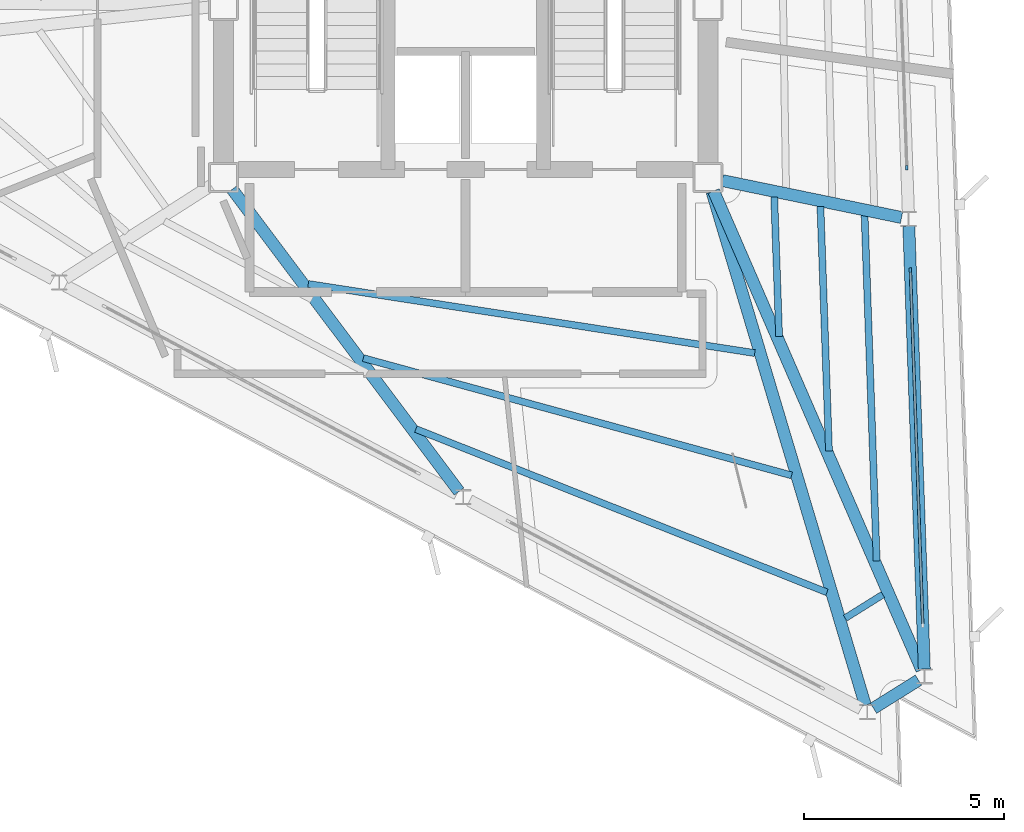
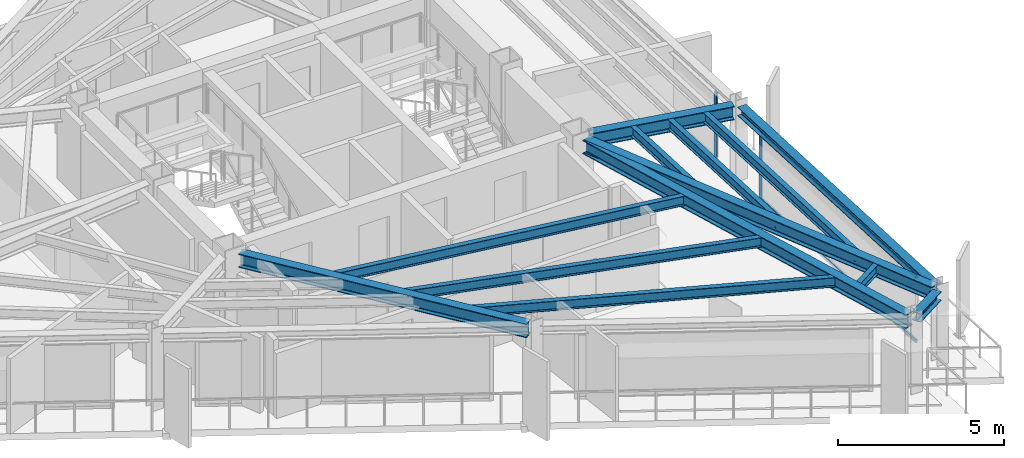
# One storey, part 3 of 12: 13 beams, 4 members, 2 elements without a shape of their own.
"""IFC4 building model written with IfcOpenShell, lengths in metres."""

from ifc_helpers import new_model, si_unit, direction, frame, origin, origin_2d, place, context, subcontext, project, spatial, rectangle, i_section, extrude, material, layer, layer_set, material_profile, profile_set, type_object, element, aggregate, save


model = new_model("IFC4")

# Units and contexts
model_context = context("Model", 3, precision=1e-05, world=origin(), true_north=direction((0.0, 1.0)))
body_context = subcontext(model_context, "Body", "Model", "MODEL_VIEW")
ifc_project = project(units=[si_unit("LENGTHUNIT", "METRE"), si_unit("AREAUNIT", "SQUARE_METRE"), si_unit("VOLUMEUNIT", "CUBIC_METRE"), si_unit("PLANEANGLEUNIT", "RADIAN"), si_unit("MASSUNIT", "GRAM", prefix="KILO")], contexts=[model_context])

# Site, building, storey
site_placement = place(None, origin())
site = spatial("IfcSite", under=ifc_project, at=site_placement, CompositionType="ELEMENT")
building_placement = place(site_placement, origin())
building = spatial("IfcBuilding", under=site, at=building_placement, Name="Rocaltana Carrier Exchange", CompositionType="ELEMENT")
storey_placement = place(building_placement, frame((0.0, 0.0, 205.760009765625)))
storey = spatial("IfcBuildingStorey", under=building, at=storey_placement, Name="L65", CompositionType="ELEMENT", Elevation=205.760009765625)

# Curtain wall, member
ifc_material_1 = material(Name="Aluminium 6063-T6", Category="aluminium")
ifc_layer = layer(ifc_material_1, 0.1201171875)
ifc_layer_set = layer_set([ifc_layer], Name="Aluminium 6063-T6")
curtain_wall_type = type_object("IfcCurtainWallType", Name="High-Altitude Thermal Curtain Wall CW-05", PredefinedType="NOTDEFINED", material=ifc_layer_set)
curtain_wall_1_placement = place(storey_placement, origin())
curtain_wall_1 = element("IfcCurtainWall", 1, at=curtain_wall_1_placement, inside=storey, type_object=curtain_wall_type, Name="L65 CW-05 Run CW-L65-F1S1", PredefinedType="NOTDEFINED")
ifc_material_2 = material(Name="Aluminium 6063-T6", Category="aluminium")
ifc_material_profile_1 = material_profile(ifc_material_2, rectangle(XDim=0.06005859375, YDim=0.1201171875, at=origin_2d()), Name="AL-60X120")
ifc_profile_set_1 = profile_set([ifc_material_profile_1], Name="Aluminium 6063-T6")
member_type_1 = type_object("IfcMemberType", Name="CW-05 Mullion AL-60X120", PredefinedType="MULLION", material=ifc_profile_set_1)
member_1_placement = place(storey_placement, frame((11.11181640625, -6.61279296875, 0.0), z_axis=(0.0, 0.0, 1.0), x_axis=(-0.999390315991, -0.034914127567, 0.0)))
member_1 = element("IfcMember", 2, at=member_1_placement, type_object=member_type_1, Name="CW-05 mullion 2", PredefinedType="MULLION", context=body_context, shape_type="SweptSolid", body=[
    extrude(rectangle(XDim=0.06005859375, YDim=0.1201171875, at=origin_2d()), origin(), (0.0, 0.0, 1.0), 2.447998046875),
])

curtain_wall_2_placement = place(storey_placement, origin())
curtain_wall_2 = element("IfcCurtainWall", 3, at=curtain_wall_2_placement, inside=storey, type_object=curtain_wall_type, Name="L65 CW-05 Run CW-L65-F1S2", PredefinedType="NOTDEFINED")
member_2_placement = place(storey_placement, frame((11.0224609375, -4.054443359375, 0.0), z_axis=(0.0, 0.0, 1.0), x_axis=(-0.999390720156, -0.034902556738, 0.0)))
member_2 = element("IfcMember", 4, at=member_2_placement, type_object=member_type_1, Name="CW-05 mullion 1", PredefinedType="MULLION", context=body_context, shape_type="SweptSolid", body=[
    extrude(rectangle(XDim=0.06005859375, YDim=0.1201171875, at=origin_2d()), origin(), (0.0, 0.0, 1.0), 2.447998046875),
])
aggregate(curtain_wall_2, [member_2])

# Member
ifc_material_3 = material(Name="Aluminium 6063-T6", Category="aluminium")
ifc_material_profile_2 = material_profile(ifc_material_3, rectangle(XDim=0.06005859375, YDim=0.1201171875, at=origin_2d()), Name="AL-60X120")
ifc_profile_set_2 = profile_set([ifc_material_profile_2], Name="Aluminium 6063-T6")
member_type_2 = type_object("IfcMemberType", Name="CW-05 Transom AL-60X120", PredefinedType="USERDEFINED", material=ifc_profile_set_2)
member_3_placement = place(storey_placement, frame((11.420654296875, -15.450927734375, 0.030029296875), z_axis=(-0.034930718371, 0.999389736246, 0.0), x_axis=(-0.999389736246, -0.034930718371, 0.0)))
member_3 = element("IfcMember", 5, at=member_3_placement, type_object=member_type_2, Name="CW-05 transom 1.1", ObjectType="TRANSOM", PredefinedType="USERDEFINED", context=body_context, shape_type="SweptSolid", body=[
    extrude(rectangle(XDim=0.06005859375, YDim=0.1201171875, at=origin_2d()), origin(), (0.0, 0.0, 1.0), 8.8134765625),
])

member_4_placement = place(storey_placement, frame((11.420654296875, -15.450927734375, 2.41796875), z_axis=(-0.034930718371, 0.999389736246, 0.0), x_axis=(-0.999389736246, -0.034930718371, 0.0)))
member_4 = element("IfcMember", 6, at=member_4_placement, type_object=member_type_2, Name="CW-05 transom 1.2", ObjectType="TRANSOM", PredefinedType="USERDEFINED", context=body_context, shape_type="SweptSolid", body=[
    extrude(rectangle(XDim=0.06005859375, YDim=0.1201171875, at=origin_2d()), origin(), (0.0, 0.0, 1.0), 8.8134765625),
])

aggregate(curtain_wall_1, [member_1, member_3, member_4])

# Beams
ifc_material_4 = material(Name="Steel S355", Category="steel")
ifc_material_profile_3 = material_profile(ifc_material_4, i_section(OverallWidth=0.172119140625, OverallDepth=0.35791015625, WebThickness=0.0078125, FlangeThickness=0.01318359375, FilletRadius=0.011962890625, at=origin_2d()), Name="W14X38")
ifc_profile_set_3 = profile_set([ifc_material_profile_3], Name="Steel S355")
beam_type_1 = type_object("IfcBeamType", Name="Floor Joist W14X38", PredefinedType="JOIST", material=ifc_profile_set_3)
beam_1_placement = place(storey_placement, frame((7.83251953125, -8.267822265625, 2.618896484375), z_axis=(-0.034956892031, 0.99938882108, 0.0), x_axis=(-0.99938882108, -0.034956892031, 0.0)))
element("IfcBeam", 7, at=beam_1_placement, inside=storey, type_object=beam_type_1, Name="FJ-L65-01-1", PredefinedType="JOIST", context=body_context, shape_type="SweptSolid", body=[
    extrude(i_section(OverallWidth=0.172119140625, OverallDepth=0.35791015625, WebThickness=0.0078125, FlangeThickness=0.01318359375, FilletRadius=0.011962890625, at=origin_2d()), origin(), (0.0, 0.0, 1.0), 3.485107421875),
])
beam_2_placement = place(storey_placement, frame((9.078125, -11.1337890625, 2.618896484375), z_axis=(-0.034895437924, 0.999390968747, 0.0), x_axis=(-0.999390968747, -0.034895437924, 0.0)))
element("IfcBeam", 8, at=beam_2_placement, inside=storey, type_object=beam_type_1, Name="FJ-L65-01-2", PredefinedType="JOIST", context=body_context, shape_type="SweptSolid", body=[
    extrude(i_section(OverallWidth=0.172119140625, OverallDepth=0.35791015625, WebThickness=0.0078125, FlangeThickness=0.01318359375, FilletRadius=0.011962890625, at=origin_2d()), origin(), (0.0, 0.0, 1.0), 6.11474609375),
])
beam_3_placement = place(storey_placement, frame((10.269775390625, -13.875, 2.618896484375), z_axis=(-0.034909498386, 0.999390477703, 0.0), x_axis=(-0.999390477703, -0.034909498386, 0.0)))
element("IfcBeam", 9, at=beam_3_placement, inside=storey, type_object=beam_type_1, Name="FJ-L65-01-3", PredefinedType="JOIST", context=body_context, shape_type="SweptSolid", body=[
    extrude(i_section(OverallWidth=0.172119140625, OverallDepth=0.35791015625, WebThickness=0.0078125, FlangeThickness=0.01318359375, FilletRadius=0.011962890625, at=origin_2d()), origin(), (0.0, 0.0, 1.0), 8.630126953125),
])
beam_4_placement = place(storey_placement, frame((-3.93017578125, -6.957275390625, 2.618896484375), z_axis=(0.98822318651, -0.153019389764, 0.0), x_axis=(0.153019389764, 0.98822318651, 0.0)))
element("IfcBeam", 10, at=beam_4_placement, inside=storey, type_object=beam_type_1, Name="FJ-L65-11-1", PredefinedType="JOIST", context=body_context, shape_type="SweptSolid", body=[
    extrude(i_section(OverallWidth=0.172119140625, OverallDepth=0.35791015625, WebThickness=0.0078125, FlangeThickness=0.01318359375, FilletRadius=0.011962890625, at=origin_2d()), origin(), (0.0, 0.0, 1.0), 11.286376953125),
])
beam_5_placement = place(storey_placement, frame((-2.555419921875, -8.809814453125, 2.618896484375), z_axis=(0.96449669157, -0.264094929808, 0.0), x_axis=(0.264094929808, 0.96449669157, 0.0)))
element("IfcBeam", 11, at=beam_5_placement, inside=storey, type_object=beam_type_1, Name="FJ-L65-11-2", PredefinedType="JOIST", context=body_context, shape_type="SweptSolid", body=[
    extrude(i_section(OverallWidth=0.172119140625, OverallDepth=0.35791015625, WebThickness=0.0078125, FlangeThickness=0.01318359375, FilletRadius=0.011962890625, at=origin_2d()), origin(), (0.0, 0.0, 1.0), 11.09326171875),
])
beam_6_placement = place(storey_placement, frame((-1.2421875, -10.581787109375, 2.618896484375), z_axis=(0.929319992712, -0.369275440756, 0.0), x_axis=(0.369275440756, 0.929319992712, 0.0)))
element("IfcBeam", 12, at=beam_6_placement, inside=storey, type_object=beam_type_1, Name="FJ-L65-11-3", PredefinedType="JOIST", context=body_context, shape_type="SweptSolid", body=[
    extrude(i_section(OverallWidth=0.172119140625, OverallDepth=0.35791015625, WebThickness=0.0078125, FlangeThickness=0.01318359375, FilletRadius=0.011962890625, at=origin_2d()), origin(), (0.0, 0.0, 1.0), 11.049560546875),
])
beam_7_placement = place(storey_placement, frame((9.481689453125, -15.306640625, 2.618896484375), z_axis=(0.847961248571, 0.530058224087, 0.0), x_axis=(-0.530058224087, 0.847961248571, 0.0)))
element("IfcBeam", 13, at=beam_7_placement, inside=storey, type_object=beam_type_1, Name="FJ-L65-12-3", PredefinedType="JOIST", context=body_context, shape_type="SweptSolid", body=[
    extrude(i_section(OverallWidth=0.172119140625, OverallDepth=0.35791015625, WebThickness=0.0078125, FlangeThickness=0.01318359375, FilletRadius=0.011962890625, at=origin_2d()), origin(), (0.0, 0.0, 1.0), 1.110595703125),
])
ifc_material_5 = material(Name="Steel S355", Category="steel")
ifc_material_profile_4 = material_profile(ifc_material_5, i_section(OverallWidth=0.300048828125, OverallDepth=0.320068359375, WebThickness=0.011474609375, FlangeThickness=0.0205078125, FilletRadius=0.027099609375, at=origin_2d()), Name="HEB320")
ifc_profile_set_4 = profile_set([ifc_material_profile_4], Name="Steel S355")
beam_type_2 = type_object("IfcBeamType", Name="Spandrel Edge Beam HEB320", PredefinedType="SPANDREL", material=ifc_profile_set_4)
beam_8_placement = place(storey_placement, frame((11.4599609375, -16.58056640625, 2.637939453125), z_axis=(-0.034898873062, 0.999390848797, 0.0), x_axis=(-0.999390848797, -0.034898873062, 0.0)))
element("IfcBeam", 14, at=beam_8_placement, inside=storey, type_object=beam_type_2, Name="SP-L65-01", PredefinedType="SPANDREL", context=body_context, shape_type="SweptSolid", body=[
    extrude(i_section(OverallWidth=0.300048828125, OverallDepth=0.320068359375, WebThickness=0.011474609375, FlangeThickness=0.0205078125, FilletRadius=0.027099609375, at=origin_2d()), origin(), (0.0, 0.0, 1.0), 11.07421875),
])
beam_9_placement = place(storey_placement, frame((10.189697265625, -17.557861328125, 2.637939453125), z_axis=(0.847977617648, 0.530032036737, 0.0), x_axis=(-0.530032036737, 0.847977617648, 0.0)))
element("IfcBeam", 15, at=beam_9_placement, inside=storey, type_object=beam_type_2, Name="SP-L65-12", PredefinedType="SPANDREL", context=body_context, shape_type="SweptSolid", body=[
    extrude(i_section(OverallWidth=0.300048828125, OverallDepth=0.320068359375, WebThickness=0.011474609375, FlangeThickness=0.0205078125, FilletRadius=0.027099609375, at=origin_2d()), origin(), (0.0, 0.0, 1.0), 1.326171875),
])
ifc_material_6 = material(Name="Steel S355", Category="steel")
ifc_material_profile_5 = material_profile(ifc_material_6, i_section(OverallWidth=0.300048828125, OverallDepth=0.5, WebThickness=0.014404296875, FlangeThickness=0.028076171875, FilletRadius=0.027099609375, at=origin_2d()), Name="HEB500")
ifc_profile_set_5 = profile_set([ifc_material_profile_5], Name="Steel S355")
beam_type_3 = type_object("IfcBeamType", Name="Upper Radial Girder HEB500", PredefinedType="BEAM", material=ifc_profile_set_5)
beam_10_placement = place(storey_placement, frame((6.1962890625, -4.63671875, 2.548095703125), z_axis=(0.398663810423, -0.917097141125, 0.0), x_axis=(0.917097141125, 0.398663810423, 0.0)))
element("IfcBeam", 16, at=beam_10_placement, inside=storey, type_object=beam_type_3, Name="RG-L65-01", PredefinedType="BEAM", context=body_context, shape_type="SweptSolid", body=[
    extrude(i_section(OverallWidth=0.300048828125, OverallDepth=0.5, WebThickness=0.014404296875, FlangeThickness=0.028076171875, FilletRadius=0.027099609375, at=origin_2d()), origin(), (0.0, 0.0, 1.0), 13.039794921875),
])
beam_11_placement = place(storey_placement, frame((6.409423828125, -4.3740234375, 2.548095703125), z_axis=(0.979421076518, -0.201827537448, 0.0), x_axis=(0.201827537448, 0.979421076518, 0.0)))
element("IfcBeam", 17, at=beam_11_placement, inside=storey, type_object=beam_type_3, Name="RG-L65-02", PredefinedType="BEAM", context=body_context, shape_type="SweptSolid", body=[
    extrude(i_section(OverallWidth=0.300048828125, OverallDepth=0.5, WebThickness=0.014404296875, FlangeThickness=0.028076171875, FilletRadius=0.027099609375, at=origin_2d()), origin(), (0.0, 0.0, 1.0), 4.576171875),
])
beam_12_placement = place(storey_placement, frame((-5.82958984375, -4.593505859375, 2.548095703125), z_axis=(0.600219358508, -0.799835434119, 0.0), x_axis=(0.799835434119, 0.600219358508, 0.0)))
element("IfcBeam", 18, at=beam_12_placement, inside=storey, type_object=beam_type_3, Name="RG-L65-11", PredefinedType="BEAM", context=body_context, shape_type="SweptSolid", body=[
    extrude(i_section(OverallWidth=0.300048828125, OverallDepth=0.5, WebThickness=0.014404296875, FlangeThickness=0.028076171875, FilletRadius=0.027099609375, at=origin_2d()), origin(), (0.0, 0.0, 1.0), 9.43701171875),
])
beam_13_placement = place(storey_placement, frame((6.155029296875, -4.651611328125, 2.548095703125), z_axis=(0.286131481219, -0.958190364936, 0.0), x_axis=(0.958190364936, 0.286131481219, 0.0)))
element("IfcBeam", 19, at=beam_13_placement, inside=storey, type_object=beam_type_3, Name="RG-L65-12", PredefinedType="BEAM", context=body_context, shape_type="SweptSolid", body=[
    extrude(i_section(OverallWidth=0.300048828125, OverallDepth=0.5, WebThickness=0.014404296875, FlangeThickness=0.028076171875, FilletRadius=0.027099609375, at=origin_2d()), origin(), (0.0, 0.0, 1.0), 13.38916015625),
])

save(model, "model.ifc")
